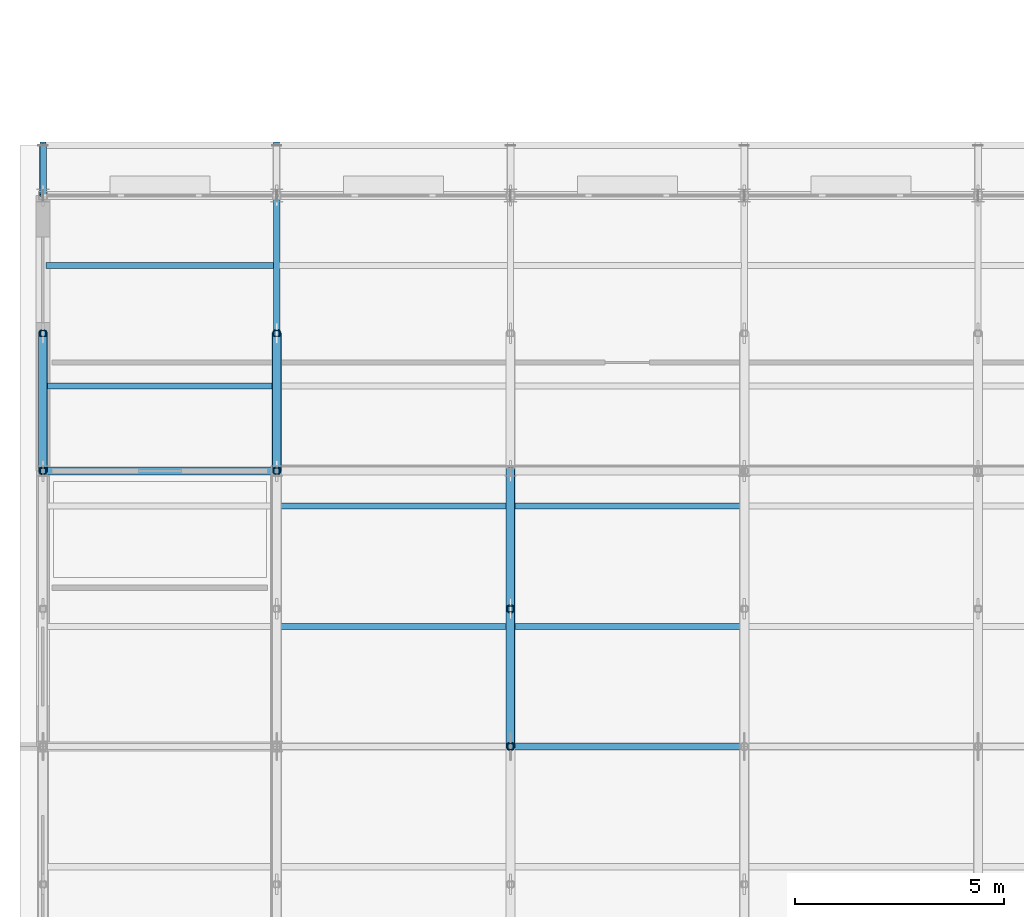
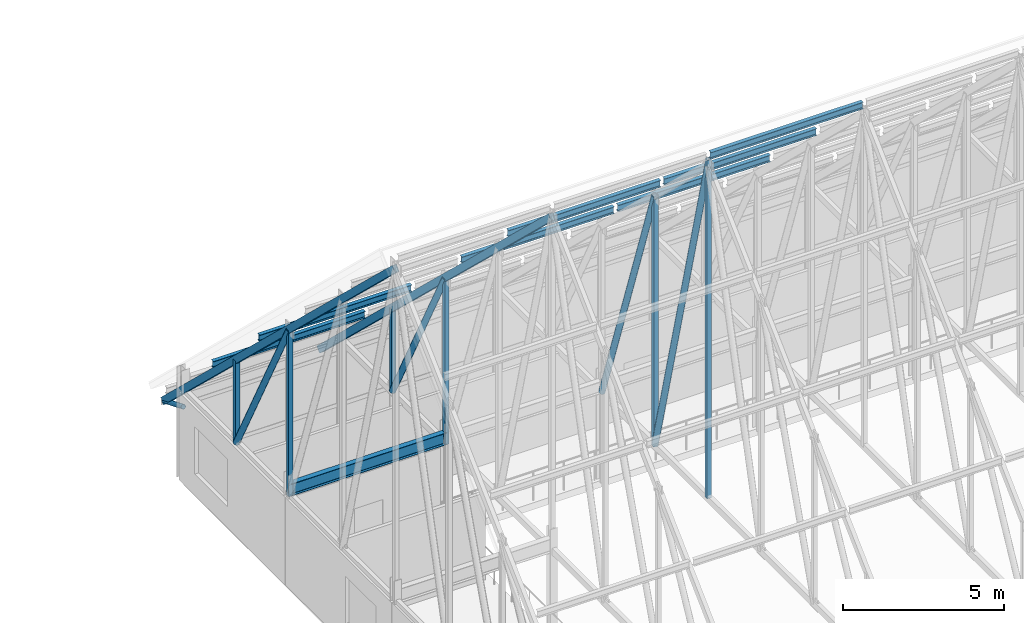
# One storey, part 31 of 144: 20 members, 1 beam.
"""IFC4 building model written with IfcOpenShell, lengths in metres."""

from ifc_helpers import new_model, si_unit, direction, frame, origin, origin_2d, place, context, subcontext, project, spatial, hollow_rectangle, hollow_circle, i_section, extrude, material, material_profile, profile_set, type_object, element, save


model = new_model("IFC4")

# Units and contexts
model_context = context("Model", 3, precision=1e-05, world=origin(), true_north=direction((0.0, 1.0)))
body_context = subcontext(model_context, "Body", "Model", "MODEL_VIEW")
ifc_project = project(units=[si_unit("LENGTHUNIT", "METRE"), si_unit("AREAUNIT", "SQUARE_METRE"), si_unit("VOLUMEUNIT", "CUBIC_METRE"), si_unit("PLANEANGLEUNIT", "RADIAN"), si_unit("MASSUNIT", "GRAM", prefix="KILO")], contexts=[model_context])

# Site, building, storey
site_placement = place(None, origin())
site = spatial("IfcSite", under=ifc_project, at=site_placement, CompositionType="ELEMENT")
building_placement = place(site_placement, origin())
building = spatial("IfcBuilding", under=site, at=building_placement, Name="Trelmorton Wharf Fire Station", CompositionType="ELEMENT")
storey_placement = place(building_placement, frame((0.0, 0.0, 5.39990234375)))
storey = spatial("IfcBuildingStorey", under=building, at=storey_placement, Name="L01", CompositionType="ELEMENT", Elevation=5.39990234375)

# Members
ifc_material_1 = material(Name="Steel Grade 300 (300 MPa)", Category="steel")
ifc_material_profile_1 = material_profile(ifc_material_1, i_section(OverallWidth=0.14599609375, OverallDepth=0.256103515625, WebThickness=0.00634765625, FlangeThickness=0.010986328125, FilletRadius=0.0087890625, at=origin_2d()), Name="250UB37.3")
ifc_profile_set_1 = profile_set([ifc_material_profile_1], Name="Steel Grade 300 (300 MPa)")
member_type_1 = type_object("IfcMemberType", Name="PR_250UB37", PredefinedType="PURLIN", material=ifc_profile_set_1)
for number, where, z_axis, x_axis, name in (
    (1, (0.8720703125, 29.639892578125, 8.064453125), (1.0, 0.0, 0.0), (0.0, 1.0, 0.0), "V1-PR-B01-N3"),
    (2, (0.8720703125, 32.52001953125, 5.315185546875), (1.0, 0.0, 0.0), (0.0, 1.0, 0.0), "V1-PR-B01-N4"),
):
    element("IfcMember", number, at=place(storey_placement, frame(where, z_axis=z_axis, x_axis=x_axis)), inside=storey, type_object=member_type_1, Name=name, PredefinedType="PURLIN", context=body_context, shape_type="SweptSolid", body=[
        extrude(i_section(OverallWidth=0.14599609375, OverallDepth=0.256103515625, WebThickness=0.00634765625, FlangeThickness=0.010986328125, FilletRadius=0.0087890625, at=origin_2d()), origin(), (0.0, 0.0, 1.0), 5.455810546875),
    ])
for number, where, z_axis, x_axis, name in (
    (3, (6.471923828125, 23.8798828125, 13.5625), (1.0, 0.0, 0.0), (0.0, 1.0, 0.0), "V1-PR-B02-N1"),
    (4, (6.471923828125, 26.760009765625, 10.8134765625), (1.0, 0.0, 0.0), (0.0, 1.0, 0.0), "V1-PR-B02-N2"),
    (5, (12.072021484375, 21.0, 16.311767578125), (1.0, 0.0, 0.0), (0.0, 1.0, 0.0), "V1-PR-B03-S5"),
    (6, (12.072021484375, 23.8798828125, 13.5625), (1.0, 0.0, 0.0), (0.0, 1.0, 0.0), "V1-PR-B03-N1"),
    (7, (12.072021484375, 26.760009765625, 10.8134765625), (1.0, 0.0, 0.0), (0.0, 1.0, 0.0), "V1-PR-B03-N2"),
):
    element("IfcMember", number, at=place(storey_placement, frame(where, z_axis=z_axis, x_axis=x_axis)), inside=storey, type_object=member_type_1, Name=name, PredefinedType="PURLIN", context=body_context, shape_type="SweptSolid", body=[
        extrude(i_section(OverallWidth=0.14599609375, OverallDepth=0.256103515625, WebThickness=0.00634765625, FlangeThickness=0.010986328125, FilletRadius=0.0087890625, at=origin_2d()), origin(), (0.0, 0.0, 1.0), 5.4560546875),
    ])

# Beam
ifc_material_2 = material(Name="Steel Grade 350", Category="steel")
ifc_material_profile_2 = material_profile(ifc_material_2, i_section(OverallWidth=0.18994140625, OverallDepth=0.45703125, WebThickness=0.009033203125, FlangeThickness=0.014404296875, FilletRadius=0.011474609375, at=origin_2d()), Name="460UB74.6")
ifc_profile_set_2 = profile_set([ifc_material_profile_2], Name="Steel Grade 350")
beam_type = type_object("IfcBeamType", Name="SP_460UB75", PredefinedType="SPANDREL", material=ifc_profile_set_2)
beam_placement = place(storey_placement, frame((0.803955078125, 27.60009765625, 3.591552734375), z_axis=(1.0, 0.0, 0.0), x_axis=(0.0, 1.0, 0.0)))
element("IfcBeam", 8, at=beam_placement, inside=storey, type_object=beam_type, Name="BM-L01-0452", PredefinedType="SPANDREL", context=body_context, shape_type="SweptSolid", body=[
    extrude(i_section(OverallWidth=0.18994140625, OverallDepth=0.45703125, WebThickness=0.009033203125, FlangeThickness=0.014404296875, FilletRadius=0.011474609375, at=origin_2d()), origin(), (0.0, 0.0, 1.0), 5.592041015625),
])

# Members
ifc_material_3 = material(Name="Steel C350L0 (350 MPa)", Category="steel")
ifc_material_profile_3 = material_profile(ifc_material_3, hollow_circle(Radius=0.084228515625, WallThickness=0.007080078125, at=origin_2d()), Name="168.3x7.1CHS")
ifc_profile_set_3 = profile_set([ifc_material_profile_3], Name="Steel C350L0 (350 MPa)")
member_type_2 = type_object("IfcMemberType", Name="TR_DIAG_168CHS", PredefinedType="STRUT", material=ifc_profile_set_3)
member_1_placement = place(storey_placement, frame((0.800048828125, 34.199951171875, 2.7001953125), z_axis=(0.0, 0.924732639899, -0.380617320553), x_axis=(-1.0, 0.0, 0.0)))
element("IfcMember", 9, at=member_1_placement, inside=storey, type_object=member_type_2, Name="V1-TR01-EAV-N", PredefinedType="STRUT", context=body_context, shape_type="SweptSolid", body=[
    extrude(hollow_circle(Radius=0.084228515625, WallThickness=0.007080078125, at=origin_2d()), origin(), (0.0, 0.0, 1.0), 1.297607421875),
])
ifc_material_profile_4 = material_profile(ifc_material_3, hollow_circle(Radius=0.109619140625, WallThickness=0.00830078125, at=origin_2d()), Name="219.1x8.2CHS")
ifc_profile_set_4 = profile_set([ifc_material_profile_4], Name="Steel C350L0 (350 MPa)")
member_type_3 = type_object("IfcMemberType", Name="TR_DIAG_219CHS", PredefinedType="STRUT", material=ifc_profile_set_4)
for number, where, z_axis, x_axis, name in (
    (10, (0.800048828125, 30.89990234375, 3.351806640625), (0.0, -0.463982622554, 0.8858443012), (1.0, 0.0, 0.0), "V1-TR01-DG-N1"),
    (11, (6.39990234375, 30.89990234375, 3.351806640625), (0.0, -0.463982622554, 0.8858443012), (1.0, 0.0, 0.0), "V1-TR02-DG-N1"),
):
    element("IfcMember", number, at=place(storey_placement, frame(where, z_axis=z_axis, x_axis=x_axis)), inside=storey, type_object=member_type_3, Name=name, PredefinedType="STRUT", context=body_context, shape_type="SweptSolid", body=[
        extrude(hollow_circle(Radius=0.109619140625, WallThickness=0.00830078125, at=origin_2d()), origin(), (0.0, 0.0, 1.0), 7.11181640625),
    ])
member_2_placement = place(storey_placement, frame((12.0, 27.60009765625, 3.351806640625), z_axis=(0.0, -0.329681107508, 0.944092351072), x_axis=(1.0, 0.0, 0.0)))
element("IfcMember", 12, at=member_2_placement, inside=storey, type_object=member_type_3, Name="V1-TR03-DG-N2", PredefinedType="STRUT", context=body_context, shape_type="SweptSolid", body=[
    extrude(hollow_circle(Radius=0.109619140625, WallThickness=0.00830078125, at=origin_2d()), origin(), (0.0, 0.0, 1.0), 10.009765625),
])
member_3_placement = place(storey_placement, frame((12.0, 24.300048828125, 3.351806640625), z_axis=(0.0, -0.25336106238, 0.967371785856), x_axis=(1.0, 0.0, 0.0)))
element("IfcMember", 13, at=member_3_placement, inside=storey, type_object=member_type_3, Name="V1-TR03-DG-N3", PredefinedType="STRUT", context=body_context, shape_type="SweptSolid", body=[
    extrude(hollow_circle(Radius=0.109619140625, WallThickness=0.00830078125, at=origin_2d()), origin(), (0.0, 0.0, 1.0), 13.025146484375),
])
ifc_material_profile_5 = material_profile(ifc_material_3, hollow_rectangle(XDim=0.14990234375, YDim=0.14990234375, WallThickness=0.009033203125, at=origin_2d()), Name="150x150x9.0SHS")
ifc_profile_set_5 = profile_set([ifc_material_profile_5], Name="Steel C350L0 (350 MPa)")
member_type_4 = type_object("IfcMemberType", Name="TR_POST_150SHS", PredefinedType="POST", material=ifc_profile_set_5)
member_4_placement = place(storey_placement, frame((0.800048828125, 30.89990234375, 3.351806640625), z_axis=(0.0, 0.0, 1.0), x_axis=(1.0, 0.0, 0.0)))
element("IfcMember", 14, at=member_4_placement, inside=storey, type_object=member_type_4, Name="V1-TR01-VP-N1", PredefinedType="POST", context=body_context, shape_type="SweptSolid", body=[
    extrude(hollow_rectangle(XDim=0.14990234375, YDim=0.14990234375, WallThickness=0.009033203125, at=origin_2d()), origin(), (0.0, 0.0, 1.0), 3.150146484375),
])
member_5_placement = place(storey_placement, frame((0.800048828125, 27.60009765625, 3.351806640625), z_axis=(0.0, 0.0, 1.0), x_axis=(1.0, 0.0, 0.0)))
element("IfcMember", 15, at=member_5_placement, inside=storey, type_object=member_type_4, Name="V1-TR01-VP-N2", PredefinedType="POST", context=body_context, shape_type="SweptSolid", body=[
    extrude(hollow_rectangle(XDim=0.14990234375, YDim=0.14990234375, WallThickness=0.009033203125, at=origin_2d()), origin(), (0.0, 0.0, 1.0), 6.300048828125),
])
member_6_placement = place(storey_placement, frame((6.39990234375, 30.89990234375, 3.351806640625), z_axis=(0.0, 0.0, 1.0), x_axis=(1.0, 0.0, 0.0)))
element("IfcMember", 16, at=member_6_placement, inside=storey, type_object=member_type_4, Name="V1-TR02-VP-N1", PredefinedType="POST", context=body_context, shape_type="SweptSolid", body=[
    extrude(hollow_rectangle(XDim=0.14990234375, YDim=0.14990234375, WallThickness=0.009033203125, at=origin_2d()), origin(), (0.0, 0.0, 1.0), 3.150146484375),
])
member_7_placement = place(storey_placement, frame((6.39990234375, 27.60009765625, 3.351806640625), z_axis=(0.0, 0.0, 1.0), x_axis=(1.0, 0.0, 0.0)))
element("IfcMember", 17, at=member_7_placement, inside=storey, type_object=member_type_4, Name="V1-TR02-VP-N2", PredefinedType="POST", context=body_context, shape_type="SweptSolid", body=[
    extrude(hollow_rectangle(XDim=0.14990234375, YDim=0.14990234375, WallThickness=0.009033203125, at=origin_2d()), origin(), (0.0, 0.0, 1.0), 6.300048828125),
])
member_8_placement = place(storey_placement, frame((12.0, 21.0, 3.351806640625), z_axis=(0.0, 0.0, 1.0), x_axis=(1.0, 0.0, 0.0)))
element("IfcMember", 18, at=member_8_placement, inside=storey, type_object=member_type_4, Name="V1-TR03-KP", PredefinedType="POST", context=body_context, shape_type="SweptSolid", body=[
    extrude(hollow_rectangle(XDim=0.14990234375, YDim=0.14990234375, WallThickness=0.009033203125, at=origin_2d()), origin(), (0.0, 0.0, 1.0), 12.8359375),
])
member_9_placement = place(storey_placement, frame((12.0, 24.300048828125, 3.351806640625), z_axis=(0.0, 0.0, 1.0), x_axis=(1.0, 0.0, 0.0)))
element("IfcMember", 19, at=member_9_placement, inside=storey, type_object=member_type_4, Name="V1-TR03-VP-N3", PredefinedType="POST", context=body_context, shape_type="SweptSolid", body=[
    extrude(hollow_rectangle(XDim=0.14990234375, YDim=0.14990234375, WallThickness=0.009033203125, at=origin_2d()), origin(), (0.0, 0.0, 1.0), 9.4501953125),
])
ifc_material_profile_6 = material_profile(ifc_material_3, hollow_rectangle(XDim=0.14990234375, YDim=0.25, WallThickness=0.009033203125, at=origin_2d()), Name="250x150x9.0RHS")
ifc_profile_set_6 = profile_set([ifc_material_profile_6], Name="Steel C350L0 (350 MPa)")
member_type_5 = type_object("IfcMemberType", Name="TR_RAFT_250RHS", PredefinedType="RAFTER", material=ifc_profile_set_6)
for number, where, z_axis, x_axis, name in (
    (20, (0.800048828125, 21.0, 15.951904296875), (0.0, 0.723349418794, -0.690482163659), (-1.0, 0.0, 0.0), "V1-TR01-RFN"),
    (21, (6.39990234375, 21.0, 15.951904296875), (0.0, 0.723349418794, -0.690482163659), (-1.0, 0.0, 0.0), "V1-TR02-RFN"),
):
    element("IfcMember", number, at=place(storey_placement, frame(where, z_axis=z_axis, x_axis=x_axis)), inside=storey, type_object=member_type_5, Name=name, PredefinedType="RAFTER", context=body_context, shape_type="SweptSolid", body=[
        extrude(hollow_rectangle(XDim=0.14990234375, YDim=0.25, WallThickness=0.009033203125, at=origin_2d()), origin(), (0.0, 0.0, 1.0), 19.9072265625),
    ])

save(model, "model.ifc")
